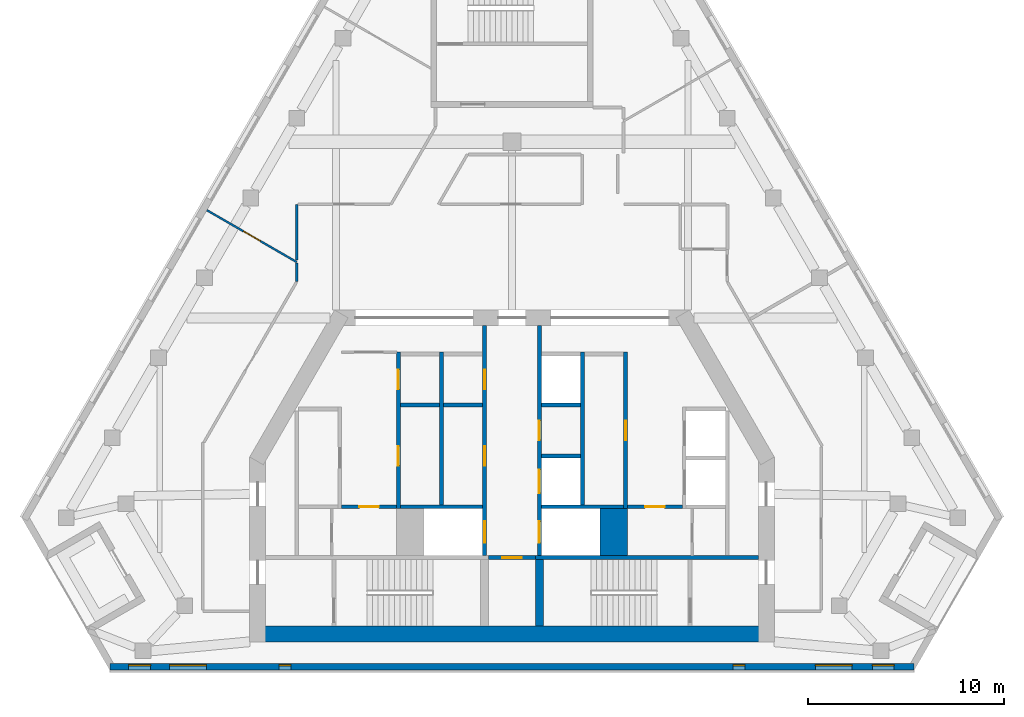
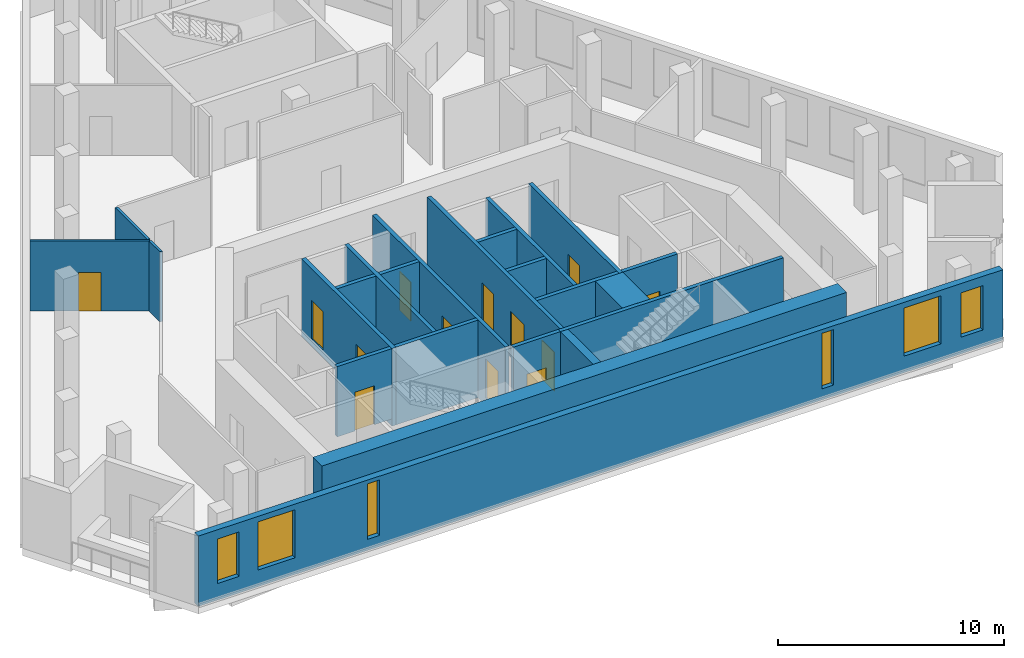
# One storey, part 3 of 8: 23 walls, 13 doors, 6 windows, 19 openings.
"""IFC4 building model written with IfcOpenShell, lengths in metres."""

from ifc_helpers import new_model, si_unit, direction, frame, frame_2d, origin, place, context, subcontext, project, spatial, rectangle, extrude, material, layer, layer_set, type_object, element, fill, save


model = new_model("IFC4")

# Units and contexts
model_context = context("Model", 3, precision=1e-05, world=origin(), true_north=direction((0.0, 1.0)))
body_context = subcontext(model_context, "Body", "Model", "MODEL_VIEW")
ifc_project = project(units=[si_unit("LENGTHUNIT", "METRE"), si_unit("AREAUNIT", "SQUARE_METRE"), si_unit("VOLUMEUNIT", "CUBIC_METRE"), si_unit("PLANEANGLEUNIT", "RADIAN"), si_unit("MASSUNIT", "GRAM", prefix="KILO")], contexts=[model_context])

# Site, building, storey
site_placement = place(None, origin())
site = spatial("IfcSite", under=ifc_project, at=site_placement, CompositionType="ELEMENT")
building_placement = place(site_placement, origin())
building = spatial("IfcBuilding", under=site, at=building_placement, Name="Fogline Exchange Tower", CompositionType="ELEMENT")
storey_placement = place(building_placement, frame((0.0, 0.0, 291.89990234375)))
storey = spatial("IfcBuildingStorey", under=building, at=storey_placement, Name="L66", CompositionType="ELEMENT", Elevation=291.89990234375)

# Walls
ifc_material_1 = material(Name="Concrete C60", Category="concrete")
ifc_layer_1 = layer(ifc_material_1, 1.39990234375)
ifc_layer_set_1 = layer_set([ifc_layer_1], Name="CW140")
wall_type_1 = type_object("IfcWallType", Name="CW140", PredefinedType="SOLIDWALL", material=ifc_layer_set_1)
wall_1_placement = place(storey_placement, frame((5.199951171875, 5.85009765625, -0.39990234375), z_axis=(0.0, 0.0, 1.0), x_axis=(0.0, 1.0, 0.0)))
element("IfcWall", 1, at=wall_1_placement, inside=storey, type_object=wall_type_1, Name="Lift shaft block wall", PredefinedType="SOLIDWALL", context=body_context, shape_type="SweptSolid", body=[
    extrude(rectangle(XDim=2.39990234375, YDim=1.39990234375, at=frame_2d((1.199951171875, 0.0))), origin(), (0.0, 0.0, 1.0), 4.199951171875),
])
ifc_material_2 = material(Name="Concrete C40", Category="concrete")
ifc_layer_2 = layer(ifc_material_2, 0.199951171875)
ifc_layer_set_2 = layer_set([ifc_layer_2], Name="CW20")
wall_type_2 = type_object("IfcWallType", Name="CW20", PredefinedType="SOLIDWALL", material=ifc_layer_set_2)
for number, where, z_axis, x_axis, name in (
    (2, (-5.699951171875, 13.550048828125, 0.0), (0.0, 0.0, 1.0), (1.0, 0.0, 0.0), "Service room wall"),
    (3, (-3.5, 13.550048828125, 0.0), (0.0, 0.0, 1.0), (1.0, 0.0, 0.0), "Service room wall"),
):
    element("IfcWall", number, at=place(storey_placement, frame(where, z_axis=z_axis, x_axis=x_axis)), inside=storey, type_object=wall_type_2, Name=name, PredefinedType="SOLIDWALL", context=body_context, shape_type="SweptSolid", body=[
        extrude(rectangle(XDim=2.0, YDim=0.199951171875, at=frame_2d((1.0, 0.0))), origin(), (0.0, 0.0, 1.0), 3.800048828125),
    ])

# Wall, opening, door
wall_2_placement = place(storey_placement, frame((-8.699951171875, 8.35009765625, 0.0), z_axis=(0.0, 0.0, 1.0), x_axis=(1.0, 0.0, 0.0)))
wall_2 = element("IfcWall", 4, at=wall_2_placement, inside=storey, type_object=wall_type_2, Name="WC wall", PredefinedType="SOLIDWALL", context=body_context, shape_type="SweptSolid", body=[
    extrude(rectangle(XDim=2.800048828125, YDim=0.199951171875, at=frame_2d((1.39990234375, 0.0))), origin(), (0.0, 0.0, 1.0), 3.800048828125),
])
opening_1_placement = place(wall_2_placement, frame((0.89990234375, 0.0, 0.0)))
opening_1 = element("IfcOpeningElement", 5, at=opening_1_placement, cuts=wall_2, Name="Opening T21-C010", PredefinedType="OPENING", context=body_context, shape_type="SweptSolid", body=[
    extrude(rectangle(XDim=1.0, YDim=2.10009765625, at=frame_2d((0.5, 1.050048828125))), frame((0.0, 0.10986328125, 0.0), z_axis=(0.0, -1.0, 0.0), x_axis=(1.0, 0.0, 0.0)), (0.0, 0.0, 1.0), 0.219970703125),
])
ifc_material_3 = material(Name="Steel and timber fire door", Category="steel")
door_type_1 = type_object("IfcDoorType", Name="D-WC1", OperationType="SINGLE_SWING_LEFT", PredefinedType="DOOR", material=ifc_material_3)
door_1_placement = place(opening_1_placement, frame((1.0, 0.0, 0.0), z_axis=(0.0, 0.0, 1.0), x_axis=(-1.0, 0.0, 0.0)))
door_1 = element("IfcDoor", 6, at=door_1_placement, inside=storey, type_object=door_type_1, Name="Door to Men's WC", OperationType="SINGLE_SWING_LEFT", OverallHeight=2.10009765625, OverallWidth=1.0, PredefinedType="DOOR", context=body_context, shape_type="SweptSolid", body=[
    extrude(rectangle(XDim=1.0, YDim=2.10009765625, at=frame_2d((0.5, 1.050048828125))), frame((0.0, 0.02490234375, 0.0), z_axis=(0.0, -1.0, 0.0), x_axis=(1.0, 0.0, 0.0)), (0.0, 0.0, 1.0), 0.050048828125),
])
fill(opening_1, door_1)

wall_3_placement = place(storey_placement, frame((5.89990234375, 8.35009765625, 0.0), z_axis=(0.0, 0.0, 1.0), x_axis=(1.0, 0.0, 0.0)))
wall_3 = element("IfcWall", 7, at=wall_3_placement, inside=storey, type_object=wall_type_2, Name="WC wall", PredefinedType="SOLIDWALL", context=body_context, shape_type="SweptSolid", body=[
    extrude(rectangle(XDim=2.800048828125, YDim=0.199951171875, at=frame_2d((1.39990234375, 0.0))), origin(), (0.0, 0.0, 1.0), 3.800048828125),
])
opening_2_placement = place(wall_3_placement, frame((0.89990234375, 0.0, 0.0)))
opening_2 = element("IfcOpeningElement", 8, at=opening_2_placement, cuts=wall_3, Name="Opening T21-C015", PredefinedType="OPENING", context=body_context, shape_type="SweptSolid", body=[
    extrude(rectangle(XDim=1.0, YDim=2.10009765625, at=frame_2d((0.5, 1.050048828125))), frame((0.0, 0.10986328125, 0.0), z_axis=(0.0, -1.0, 0.0), x_axis=(1.0, 0.0, 0.0)), (0.0, 0.0, 1.0), 0.219970703125),
])
door_2_placement = place(opening_2_placement, frame((1.0, 0.0, 0.0), z_axis=(0.0, 0.0, 1.0), x_axis=(-1.0, 0.0, 0.0)))
door_2 = element("IfcDoor", 9, at=door_2_placement, inside=storey, type_object=door_type_1, Name="Door to Women's WC", OperationType="SINGLE_SWING_LEFT", OverallHeight=2.10009765625, OverallWidth=1.0, PredefinedType="DOOR", context=body_context, shape_type="SweptSolid", body=[
    extrude(rectangle(XDim=1.0, YDim=2.10009765625, at=frame_2d((0.5, 1.050048828125))), frame((0.0, 0.02490234375, 0.0), z_axis=(0.0, -1.0, 0.0), x_axis=(1.0, 0.0, 0.0)), (0.0, 0.0, 1.0), 0.050048828125),
])
fill(opening_2, door_2)

ifc_layer_3 = layer(ifc_material_2, 0.199951171875)
ifc_layer_set_3 = layer_set([ifc_layer_3], Name="CW20R")
wall_type_3 = type_object("IfcWallType", Name="CW20R", PredefinedType="SOLIDWALL", material=ifc_layer_set_3)
wall_4_placement = place(storey_placement, frame((-1.199951171875, 5.75, -0.39990234375), z_axis=(0.0, 0.0, 1.0), x_axis=(1.0, 0.0, 0.0)))
wall_4 = element("IfcWall", 10, at=wall_4_placement, inside=storey, type_object=wall_type_3, Name="Stair enclosure wall", PredefinedType="SOLIDWALL", context=body_context, shape_type="SweptSolid", body=[
    extrude(rectangle(XDim=2.39990234375, YDim=0.199951171875, at=frame_2d((1.199951171875, 0.0))), origin(), (0.0, 0.0, 1.0), 4.199951171875),
])
opening_3_placement = place(wall_4_placement, frame((0.699951171875, 0.0, 0.39990234375)))
opening_3 = element("IfcOpeningElement", 11, at=opening_3_placement, cuts=wall_4, Name="Opening T21-C008", PredefinedType="OPENING", context=body_context, shape_type="SweptSolid", body=[
    extrude(rectangle(XDim=1.0, YDim=2.10009765625, at=frame_2d((0.5, 1.050048828125))), frame((0.0, 0.10986328125, 0.0), z_axis=(0.0, -1.0, 0.0), x_axis=(1.0, 0.0, 0.0)), (0.0, 0.0, 1.0), 0.219970703125),
])
door_type_2 = type_object("IfcDoorType", Name="D-RM1", OperationType="SINGLE_SWING_LEFT", PredefinedType="DOOR", material=ifc_material_3)
door_3_placement = place(opening_3_placement, frame((1.0, 0.0, 0.0), z_axis=(0.0, 0.0, 1.0), x_axis=(-1.0, 0.0, 0.0)))
door_3 = element("IfcDoor", 12, at=door_3_placement, inside=storey, type_object=door_type_2, Name="Door to Stationery Store", OperationType="SINGLE_SWING_RIGHT", OverallHeight=2.10009765625, OverallWidth=1.0, PredefinedType="DOOR", context=body_context, shape_type="SweptSolid", body=[
    extrude(rectangle(XDim=1.0, YDim=2.10009765625, at=frame_2d((0.5, 1.050048828125))), frame((0.0, 0.02490234375, 0.0), z_axis=(0.0, -1.0, 0.0), x_axis=(1.0, 0.0, 0.0)), (0.0, 0.0, 1.0), 0.050048828125),
])
fill(opening_3, door_3)

# Wall
wall_5_placement = place(storey_placement, frame((1.199951171875, 5.75, -0.39990234375), z_axis=(0.0, 0.0, 1.0), x_axis=(1.0, 0.0, 0.0)))
element("IfcWall", 13, at=wall_5_placement, inside=storey, type_object=wall_type_3, Name="Stair enclosure wall", PredefinedType="SOLIDWALL", context=body_context, shape_type="SweptSolid", body=[
    extrude(rectangle(XDim=11.400146484375, YDim=0.199951171875, at=frame_2d((5.7001953125, 0.0))), origin(), (0.0, 0.0, 1.0), 4.199951171875),
])

# Wall, openings, doors
ifc_layer_4 = layer(ifc_material_2, 0.199951171875)
ifc_layer_set_4 = layer_set([ifc_layer_4], Name="CW20S")
wall_type_4 = type_object("IfcWallType", Name="CW20S", PredefinedType="SOLIDWALL", material=ifc_layer_set_4)
wall_6_placement = place(storey_placement, frame((-5.800048828125, 8.25, -0.39990234375), z_axis=(0.0, 0.0, 1.0), x_axis=(0.0, 1.0, 0.0)))
wall_6 = element("IfcWall", 14, at=wall_6_placement, inside=storey, type_object=wall_type_4, Name="Lift shaft wall", PredefinedType="SOLIDWALL", context=body_context, shape_type="SweptSolid", body=[
    extrude(rectangle(XDim=8.0, YDim=0.199951171875, at=frame_2d((4.0, 0.0))), origin(), (0.0, 0.0, 1.0), 4.199951171875),
])
opening_4_placement = place(wall_6_placement, frame((2.199951171875, 0.0, 0.39990234375)))
opening_4 = element("IfcOpeningElement", 15, at=opening_4_placement, cuts=wall_6, Name="Opening T21-C002", PredefinedType="OPENING", context=body_context, shape_type="SweptSolid", body=[
    extrude(rectangle(XDim=1.0, YDim=2.10009765625, at=frame_2d((0.5, 1.050048828125))), frame((0.0, 0.10986328125, 0.0), z_axis=(0.0, -1.0, 0.0), x_axis=(1.0, 0.0, 0.0)), (0.0, 0.0, 1.0), 0.219970703125),
])
opening_5_placement = place(wall_6_placement, frame((6.10009765625, 0.0, 0.39990234375)))
opening_5 = element("IfcOpeningElement", 16, at=opening_5_placement, cuts=wall_6, Name="Opening T21-C003", PredefinedType="OPENING", context=body_context, shape_type="SweptSolid", body=[
    extrude(rectangle(XDim=1.0, YDim=2.10009765625, at=frame_2d((0.5, 1.050048828125))), frame((0.0, 0.10986328125, 0.0), z_axis=(0.0, -1.0, 0.0), x_axis=(1.0, 0.0, 0.0)), (0.0, 0.0, 1.0), 0.219970703125),
])
door_4_placement = place(opening_4_placement, frame((1.0, 0.0, 0.0), z_axis=(0.0, 0.0, 1.0), x_axis=(-1.0, 0.0, 0.0)))
door_4 = element("IfcDoor", 17, at=door_4_placement, inside=storey, type_object=door_type_2, Name="Door to Equipment Room", OperationType="SINGLE_SWING_LEFT", OverallHeight=2.10009765625, OverallWidth=1.0, PredefinedType="DOOR", context=body_context, shape_type="SweptSolid", body=[
    extrude(rectangle(XDim=1.0, YDim=2.10009765625, at=frame_2d((0.5, 1.050048828125))), frame((0.0, 0.02490234375, 0.0), z_axis=(0.0, -1.0, 0.0), x_axis=(1.0, 0.0, 0.0)), (0.0, 0.0, 1.0), 0.050048828125),
])
fill(opening_4, door_4)
door_5_placement = place(opening_5_placement, frame((1.0, 0.0, 0.0), z_axis=(0.0, 0.0, 1.0), x_axis=(-1.0, 0.0, 0.0)))
door_5 = element("IfcDoor", 18, at=door_5_placement, inside=storey, type_object=door_type_2, Name="Door to Server Room", OperationType="SINGLE_SWING_RIGHT", OverallHeight=2.10009765625, OverallWidth=1.0, PredefinedType="DOOR", context=body_context, shape_type="SweptSolid", body=[
    extrude(rectangle(XDim=1.0, YDim=2.10009765625, at=frame_2d((0.5, 1.050048828125))), frame((0.0, 0.02490234375, 0.0), z_axis=(0.0, -1.0, 0.0), x_axis=(1.0, 0.0, 0.0)), (0.0, 0.0, 1.0), 0.050048828125),
])
fill(opening_5, door_5)

# Wall, opening, door
wall_7_placement = place(storey_placement, frame((5.800048828125, 8.25, -0.39990234375), z_axis=(0.0, 0.0, 1.0), x_axis=(0.0, 1.0, 0.0)))
wall_7 = element("IfcWall", 19, at=wall_7_placement, inside=storey, type_object=wall_type_4, Name="Lift shaft wall", PredefinedType="SOLIDWALL", context=body_context, shape_type="SweptSolid", body=[
    extrude(rectangle(XDim=8.0, YDim=0.199951171875, at=frame_2d((4.0, 0.0))), origin(), (0.0, 0.0, 1.0), 4.199951171875),
])
opening_6_placement = place(wall_7_placement, frame((3.5, 0.0, 0.39990234375)))
opening_6 = element("IfcOpeningElement", 20, at=opening_6_placement, cuts=wall_7, Name="Opening T21-C006", PredefinedType="OPENING", context=body_context, shape_type="SweptSolid", body=[
    extrude(rectangle(XDim=1.0, YDim=2.10009765625, at=frame_2d((0.5, 1.050048828125))), frame((0.0, 0.10986328125, 0.0), z_axis=(0.0, -1.0, 0.0), x_axis=(1.0, 0.0, 0.0)), (0.0, 0.0, 1.0), 0.219970703125),
])
door_6_placement = place(opening_6_placement, origin())
door_6 = element("IfcDoor", 21, at=door_6_placement, inside=storey, type_object=door_type_2, Name="Door to Trading Desk Annexe", OperationType="SINGLE_SWING_LEFT", OverallHeight=2.10009765625, OverallWidth=1.0, PredefinedType="DOOR", context=body_context, shape_type="SweptSolid", body=[
    extrude(rectangle(XDim=1.0, YDim=2.10009765625, at=frame_2d((0.5, 1.050048828125))), frame((0.0, 0.02490234375, 0.0), z_axis=(0.0, -1.0, 0.0), x_axis=(1.0, 0.0, 0.0)), (0.0, 0.0, 1.0), 0.050048828125),
])
fill(opening_6, door_6)

# Walls
for number, where, z_axis, x_axis, name in (
    (22, (-3.60009765625, 8.449951171875, -0.39990234375), (0.0, 0.0, 1.0), (0.0, 1.0, 0.0), "Lift shaft wall"),
    (23, (3.60009765625, 8.449951171875, -0.39990234375), (0.0, 0.0, 1.0), (0.0, 1.0, 0.0), "Lift shaft wall"),
):
    element("IfcWall", number, at=place(storey_placement, frame(where, z_axis=z_axis, x_axis=x_axis)), inside=storey, type_object=wall_type_4, Name=name, PredefinedType="SOLIDWALL", context=body_context, shape_type="SweptSolid", body=[
        extrude(rectangle(XDim=7.800048828125, YDim=0.199951171875, at=frame_2d((3.89990234375, 0.0))), origin(), (0.0, 0.0, 1.0), 4.199951171875),
    ])

# Wall, openings, doors
wall_8_placement = place(storey_placement, frame((-1.39990234375, 5.85009765625, -0.39990234375), z_axis=(0.0, 0.0, 1.0), x_axis=(0.0, 1.0, 0.0)))
wall_8 = element("IfcWall", 24, at=wall_8_placement, inside=storey, type_object=wall_type_4, Name="Lift lobby wall", PredefinedType="SOLIDWALL", context=body_context, shape_type="SweptSolid", body=[
    extrude(rectangle(XDim=11.75, YDim=0.199951171875, at=frame_2d((5.875, 0.0))), origin(), (0.0, 0.0, 1.0), 4.199951171875),
])
opening_7_placement = place(wall_8_placement, frame((0.64990234375, 0.0, 0.39990234375)))
opening_7 = element("IfcOpeningElement", 25, at=opening_7_placement, cuts=wall_8, Name="Opening T21-LD01", PredefinedType="OPENING", context=body_context, shape_type="SweptSolid", body=[
    extrude(rectangle(XDim=1.10009765625, YDim=2.10009765625, at=frame_2d((0.550048828125, 1.050048828125))), frame((0.0, 0.10986328125, 0.0), z_axis=(0.0, -1.0, 0.0), x_axis=(1.0, 0.0, 0.0)), (0.0, 0.0, 1.0), 0.219970703125),
])
opening_8_placement = place(wall_8_placement, frame((4.60009765625, 0.0, 0.39990234375)))
opening_8 = element("IfcOpeningElement", 26, at=opening_8_placement, cuts=wall_8, Name="Opening T21-C004", PredefinedType="OPENING", context=body_context, shape_type="SweptSolid", body=[
    extrude(rectangle(XDim=1.0, YDim=2.10009765625, at=frame_2d((0.5, 1.050048828125))), frame((0.0, 0.10986328125, 0.0), z_axis=(0.0, -1.0, 0.0), x_axis=(1.0, 0.0, 0.0)), (0.0, 0.0, 1.0), 0.219970703125),
])
opening_9_placement = place(wall_8_placement, frame((8.5, 0.0, 0.39990234375)))
opening_9 = element("IfcOpeningElement", 27, at=opening_9_placement, cuts=wall_8, Name="Opening T21-C005", PredefinedType="OPENING", context=body_context, shape_type="SweptSolid", body=[
    extrude(rectangle(XDim=1.0, YDim=2.10009765625, at=frame_2d((0.5, 1.050048828125))), frame((0.0, 0.10986328125, 0.0), z_axis=(0.0, -1.0, 0.0), x_axis=(1.0, 0.0, 0.0)), (0.0, 0.0, 1.0), 0.219970703125),
])
door_7_placement = place(opening_8_placement, origin())
door_7 = element("IfcDoor", 28, at=door_7_placement, inside=storey, type_object=door_type_2, Name="Door to Library Store", OperationType="SINGLE_SWING_LEFT", OverallHeight=2.10009765625, OverallWidth=1.0, PredefinedType="DOOR", context=body_context, shape_type="SweptSolid", body=[
    extrude(rectangle(XDim=1.0, YDim=2.10009765625, at=frame_2d((0.5, 1.050048828125))), frame((0.0, 0.02490234375, 0.0), z_axis=(0.0, -1.0, 0.0), x_axis=(1.0, 0.0, 0.0)), (0.0, 0.0, 1.0), 0.050048828125),
])
fill(opening_8, door_7)
door_8_placement = place(opening_9_placement, origin())
door_8 = element("IfcDoor", 29, at=door_8_placement, inside=storey, type_object=door_type_2, Name="Door to Library Store", OperationType="SINGLE_SWING_LEFT", OverallHeight=2.10009765625, OverallWidth=1.0, PredefinedType="DOOR", context=body_context, shape_type="SweptSolid", body=[
    extrude(rectangle(XDim=1.0, YDim=2.10009765625, at=frame_2d((0.5, 1.050048828125))), frame((0.0, 0.02490234375, 0.0), z_axis=(0.0, -1.0, 0.0), x_axis=(1.0, 0.0, 0.0)), (0.0, 0.0, 1.0), 0.050048828125),
])
fill(opening_9, door_8)
door_type_3 = type_object("IfcDoorType", Name="LD2", OperationType="SLIDING_TO_RIGHT", PredefinedType="DOOR", material=ifc_material_3)
door_9_placement = place(opening_7_placement, origin())
door_9 = element("IfcDoor", 30, at=door_9_placement, inside=storey, type_object=door_type_3, Name="Landing door FF1", OperationType="SLIDING_TO_RIGHT", OverallHeight=2.10009765625, OverallWidth=1.10009765625, PredefinedType="DOOR", context=body_context, shape_type="SweptSolid", body=[
    extrude(rectangle(XDim=1.10009765625, YDim=2.10009765625, at=frame_2d((0.550048828125, 1.050048828125))), frame((0.0, 0.02490234375, 0.0), z_axis=(0.0, -1.0, 0.0), x_axis=(1.0, 0.0, 0.0)), (0.0, 0.0, 1.0), 0.050048828125),
])
fill(opening_7, door_9)

wall_9_placement = place(storey_placement, frame((1.39990234375, 5.85009765625, -0.39990234375), z_axis=(0.0, 0.0, 1.0), x_axis=(0.0, 1.0, 0.0)))
wall_9 = element("IfcWall", 31, at=wall_9_placement, inside=storey, type_object=wall_type_4, Name="Lift lobby wall", PredefinedType="SOLIDWALL", context=body_context, shape_type="SweptSolid", body=[
    extrude(rectangle(XDim=11.75, YDim=0.199951171875, at=frame_2d((5.875, 0.0))), origin(), (0.0, 0.0, 1.0), 4.199951171875),
])
opening_10_placement = place(wall_9_placement, frame((3.199951171875, 0.0, 0.39990234375)))
opening_10 = element("IfcOpeningElement", 32, at=opening_10_placement, cuts=wall_9, Name="Opening T21-LD04", PredefinedType="OPENING", context=body_context, shape_type="SweptSolid", body=[
    extrude(rectangle(XDim=1.199951171875, YDim=2.10009765625, at=frame_2d((0.60009765625, 1.050048828125))), frame((0.0, 0.10986328125, 0.0), z_axis=(0.0, -1.0, 0.0), x_axis=(1.0, 0.0, 0.0)), (0.0, 0.0, 1.0), 0.219970703125),
])
opening_11_placement = place(wall_9_placement, frame((0.64990234375, 0.0, 0.39990234375)))
opening_11 = element("IfcOpeningElement", 33, at=opening_11_placement, cuts=wall_9, Name="Opening T21-LD05", PredefinedType="OPENING", context=body_context, shape_type="SweptSolid", body=[
    extrude(rectangle(XDim=1.10009765625, YDim=2.10009765625, at=frame_2d((0.550048828125, 1.050048828125))), frame((0.0, 0.10986328125, 0.0), z_axis=(0.0, -1.0, 0.0), x_axis=(1.0, 0.0, 0.0)), (0.0, 0.0, 1.0), 0.219970703125),
])
opening_12_placement = place(wall_9_placement, frame((5.89990234375, 0.0, 0.39990234375)))
opening_12 = element("IfcOpeningElement", 34, at=opening_12_placement, cuts=wall_9, Name="Opening T21-C007", PredefinedType="OPENING", context=body_context, shape_type="SweptSolid", body=[
    extrude(rectangle(XDim=1.0, YDim=2.10009765625, at=frame_2d((0.5, 1.050048828125))), frame((0.0, 0.10986328125, 0.0), z_axis=(0.0, -1.0, 0.0), x_axis=(1.0, 0.0, 0.0)), (0.0, 0.0, 1.0), 0.219970703125),
])
door_10_placement = place(opening_12_placement, frame((1.0, 0.0, 0.0), z_axis=(0.0, 0.0, 1.0), x_axis=(-1.0, 0.0, 0.0)))
door_10 = element("IfcDoor", 35, at=door_10_placement, inside=storey, type_object=door_type_2, Name="Door to Cable Store", OperationType="SINGLE_SWING_RIGHT", OverallHeight=2.10009765625, OverallWidth=1.0, PredefinedType="DOOR", context=body_context, shape_type="SweptSolid", body=[
    extrude(rectangle(XDim=1.0, YDim=2.10009765625, at=frame_2d((0.5, 1.050048828125))), frame((0.0, 0.02490234375, 0.0), z_axis=(0.0, -1.0, 0.0), x_axis=(1.0, 0.0, 0.0)), (0.0, 0.0, 1.0), 0.050048828125),
])
fill(opening_12, door_10)
door_type_4 = type_object("IfcDoorType", Name="LD1", OperationType="SLIDING_TO_LEFT", PredefinedType="DOOR", material=ifc_material_3)
door_11_placement = place(opening_10_placement, origin())
door_11 = element("IfcDoor", 36, at=door_11_placement, inside=storey, type_object=door_type_4, Name="Landing door HR3", OperationType="SLIDING_TO_LEFT", OverallHeight=2.10009765625, OverallWidth=1.199951171875, PredefinedType="DOOR", context=body_context, shape_type="SweptSolid", body=[
    extrude(rectangle(XDim=1.199951171875, YDim=2.10009765625, at=frame_2d((0.60009765625, 1.050048828125))), frame((0.0, 0.02490234375, 0.0), z_axis=(0.0, -1.0, 0.0), x_axis=(1.0, 0.0, 0.0)), (0.0, 0.0, 1.0), 0.050048828125),
])
fill(opening_10, door_11)
door_12_placement = place(opening_11_placement, origin())
door_12 = element("IfcDoor", 37, at=door_12_placement, inside=storey, type_object=door_type_3, Name="Landing door FF2", OperationType="SLIDING_TO_RIGHT", OverallHeight=2.10009765625, OverallWidth=1.10009765625, PredefinedType="DOOR", context=body_context, shape_type="SweptSolid", body=[
    extrude(rectangle(XDim=1.10009765625, YDim=2.10009765625, at=frame_2d((0.550048828125, 1.050048828125))), frame((0.0, 0.02490234375, 0.0), z_axis=(0.0, -1.0, 0.0), x_axis=(1.0, 0.0, 0.0)), (0.0, 0.0, 1.0), 0.050048828125),
])
fill(opening_11, door_12)

# Walls
for number, where, z_axis, x_axis, name in (
    (38, (-5.699951171875, 8.35009765625, -0.39990234375), (0.0, 0.0, 1.0), (1.0, 0.0, 0.0), "Lift shaft wall"),
    (39, (1.5, 8.35009765625, -0.39990234375), (0.0, 0.0, 1.0), (1.0, 0.0, 0.0), "Lift shaft wall"),
):
    element("IfcWall", number, at=place(storey_placement, frame(where, z_axis=z_axis, x_axis=x_axis)), inside=storey, type_object=wall_type_4, Name=name, PredefinedType="SOLIDWALL", context=body_context, shape_type="SweptSolid", body=[
        extrude(rectangle(XDim=4.199951171875, YDim=0.199951171875, at=frame_2d((2.10009765625, 0.0))), origin(), (0.0, 0.0, 1.0), 4.199951171875),
    ])
for number, where, z_axis, x_axis, name in (
    (40, (1.5, 10.949951171875, -0.39990234375), (0.0, 0.0, 1.0), (1.0, 0.0, 0.0), "Lift shaft wall"),
    (41, (1.5, 13.550048828125, -0.39990234375), (0.0, 0.0, 1.0), (1.0, 0.0, 0.0), "Lift shaft wall"),
):
    element("IfcWall", number, at=place(storey_placement, frame(where, z_axis=z_axis, x_axis=x_axis)), inside=storey, type_object=wall_type_4, Name=name, PredefinedType="SOLIDWALL", context=body_context, shape_type="SweptSolid", body=[
        extrude(rectangle(XDim=2.0, YDim=0.199951171875, at=frame_2d((1.0, 0.0))), origin(), (0.0, 0.0, 1.0), 4.199951171875),
    ])
ifc_layer_5 = layer(ifc_material_2, 0.39990234375)
ifc_layer_set_5 = layer_set([ifc_layer_5], Name="CW40R")
wall_type_5 = type_object("IfcWallType", Name="CW40R", PredefinedType="SOLIDWALL", material=ifc_layer_set_5)
wall_10_placement = place(storey_placement, frame((1.39990234375, 2.25, -0.39990234375), z_axis=(0.0, 0.0, 1.0), x_axis=(0.0, 1.0, 0.0)))
element("IfcWall", 42, at=wall_10_placement, inside=storey, type_object=wall_type_5, Name="Stair and lift shaft wall", PredefinedType="SOLIDWALL", context=body_context, shape_type="SweptSolid", body=[
    extrude(rectangle(XDim=3.39990234375, YDim=0.39990234375, at=frame_2d((1.699951171875, 0.0))), origin(), (0.0, 0.0, 1.0), 4.199951171875),
])

# Wall, openings, windows
ifc_material_4 = material(Name="Brick masonry", Category="masonry")
ifc_layer_6 = layer(ifc_material_4, 0.340087890625)
ifc_layer_set_6 = layer_set([ifc_layer_6], Name="FW1")
wall_type_6 = type_object("IfcWallType", Name="FW1", PredefinedType="SOLIDWALL", material=ifc_layer_set_6)
wall_11_placement = place(storey_placement, frame((-20.55224609375, 0.169921875, 0.0), z_axis=(0.0, 0.0, 1.0), x_axis=(1.0, 0.0, 0.0)))
wall_11 = element("IfcWall", 43, at=wall_11_placement, inside=storey, type_object=wall_type_6, Name="Brick wall L66 S", PredefinedType="SOLIDWALL", context=body_context, shape_type="SweptSolid", body=[
    extrude(rectangle(XDim=41.1044921875, YDim=0.340087890625, at=frame_2d((20.55224609375, 0.0))), origin(), (0.0, 0.0, 1.0), 3.800048828125),
])
opening_13_placement = place(wall_11_placement, frame((3.05224609375, 0.0, 0.89990234375)))
opening_13 = element("IfcOpeningElement", 44, at=opening_13_placement, cuts=wall_11, Name="Opening W3", PredefinedType="OPENING", context=body_context, shape_type="SweptSolid", body=[
    extrude(rectangle(XDim=1.885009765625, YDim=2.60009765625, at=frame_2d((0.9423828125, 1.300048828125))), frame((0.0, 0.18017578125, 0.0), z_axis=(0.0, -1.0, 0.0), x_axis=(1.0, 0.0, 0.0)), (0.0, 0.0, 1.0), 0.360107421875),
])
opening_14_placement = place(wall_11_placement, frame((36.05224609375, 0.0, 0.89990234375)))
opening_14 = element("IfcOpeningElement", 45, at=opening_14_placement, cuts=wall_11, Name="Opening W3", PredefinedType="OPENING", context=body_context, shape_type="SweptSolid", body=[
    extrude(rectangle(XDim=1.885009765625, YDim=2.60009765625, at=frame_2d((0.9423828125, 1.300048828125))), frame((0.0, 0.18017578125, 0.0), z_axis=(0.0, -1.0, 0.0), x_axis=(1.0, 0.0, 0.0)), (0.0, 0.0, 1.0), 0.360107421875),
])
opening_15_placement = place(wall_11_placement, frame((0.968505859375, 0.0, 0.89990234375)))
opening_15 = element("IfcOpeningElement", 46, at=opening_15_placement, cuts=wall_11, Name="Opening W4", PredefinedType="OPENING", context=body_context, shape_type="SweptSolid", body=[
    extrude(rectangle(XDim=1.114990234375, YDim=2.39990234375, at=frame_2d((0.5576171875, 1.199951171875))), frame((0.0, 0.18017578125, 0.0), z_axis=(0.0, -1.0, 0.0), x_axis=(1.0, 0.0, 0.0)), (0.0, 0.0, 1.0), 0.360107421875),
])
opening_16_placement = place(wall_11_placement, frame((38.96337890625, 0.0, 0.89990234375)))
opening_16 = element("IfcOpeningElement", 47, at=opening_16_placement, cuts=wall_11, Name="Opening W4", PredefinedType="OPENING", context=body_context, shape_type="SweptSolid", body=[
    extrude(rectangle(XDim=1.114990234375, YDim=2.39990234375, at=frame_2d((0.5576171875, 1.199951171875))), frame((0.0, 0.18017578125, 0.0), z_axis=(0.0, -1.0, 0.0), x_axis=(1.0, 0.0, 0.0)), (0.0, 0.0, 1.0), 0.360107421875),
])
opening_17_placement = place(wall_11_placement, frame((8.652099609375, 0.0, 0.60009765625)))
opening_17 = element("IfcOpeningElement", 48, at=opening_17_placement, cuts=wall_11, Name="Opening W5", PredefinedType="OPENING", context=body_context, shape_type="SweptSolid", body=[
    extrude(rectangle(XDim=0.60009765625, YDim=3.0, at=frame_2d((0.300048828125, 1.5))), frame((0.0, 0.18017578125, 0.0), z_axis=(0.0, -1.0, 0.0), x_axis=(1.0, 0.0, 0.0)), (0.0, 0.0, 1.0), 0.360107421875),
])
opening_18_placement = place(wall_11_placement, frame((31.852294921875, 0.0, 0.60009765625)))
opening_18 = element("IfcOpeningElement", 49, at=opening_18_placement, cuts=wall_11, Name="Opening W5", PredefinedType="OPENING", context=body_context, shape_type="SweptSolid", body=[
    extrude(rectangle(XDim=0.60009765625, YDim=3.0, at=frame_2d((0.300048828125, 1.5))), frame((0.0, 0.18017578125, 0.0), z_axis=(0.0, -1.0, 0.0), x_axis=(1.0, 0.0, 0.0)), (0.0, 0.0, 1.0), 0.360107421875),
])
ifc_material_5 = material(Name="Aluminium and glass", Category="aluminium")
window_type_1 = type_object("IfcWindowType", Name="W3", PartitioningType="SINGLE_PANEL", PredefinedType="WINDOW", material=ifc_material_5)
window_1_placement = place(opening_13_placement, origin())
window_1 = element("IfcWindow", 50, at=window_1_placement, inside=storey, type_object=window_type_1, Name="W3 W3", OverallHeight=2.60009765625, OverallWidth=1.885009765625, PartitioningType="SINGLE_PANEL", PredefinedType="WINDOW", context=body_context, shape_type="SweptSolid", body=[
    extrude(rectangle(XDim=1.885009765625, YDim=2.60009765625, at=frame_2d((0.9423828125, 1.300048828125))), frame((0.0, 0.110107421875, 0.0), z_axis=(0.0, -1.0, 0.0), x_axis=(1.0, 0.0, 0.0)), (0.0, 0.0, 1.0), 0.06005859375),
])
fill(opening_13, window_1)
window_2_placement = place(opening_14_placement, origin())
window_2 = element("IfcWindow", 51, at=window_2_placement, inside=storey, type_object=window_type_1, Name="W3 W3", OverallHeight=2.60009765625, OverallWidth=1.885009765625, PartitioningType="SINGLE_PANEL", PredefinedType="WINDOW", context=body_context, shape_type="SweptSolid", body=[
    extrude(rectangle(XDim=1.885009765625, YDim=2.60009765625, at=frame_2d((0.9423828125, 1.300048828125))), frame((0.0, 0.110107421875, 0.0), z_axis=(0.0, -1.0, 0.0), x_axis=(1.0, 0.0, 0.0)), (0.0, 0.0, 1.0), 0.06005859375),
])
fill(opening_14, window_2)
window_type_2 = type_object("IfcWindowType", Name="W4", PartitioningType="SINGLE_PANEL", PredefinedType="WINDOW", material=ifc_material_5)
window_3_placement = place(opening_15_placement, origin())
window_3 = element("IfcWindow", 52, at=window_3_placement, inside=storey, type_object=window_type_2, Name="W4 W4", OverallHeight=2.39990234375, OverallWidth=1.114990234375, PartitioningType="SINGLE_PANEL", PredefinedType="WINDOW", context=body_context, shape_type="SweptSolid", body=[
    extrude(rectangle(XDim=1.114990234375, YDim=2.39990234375, at=frame_2d((0.5576171875, 1.199951171875))), frame((0.0, 0.110107421875, 0.0), z_axis=(0.0, -1.0, 0.0), x_axis=(1.0, 0.0, 0.0)), (0.0, 0.0, 1.0), 0.06005859375),
])
fill(opening_15, window_3)
window_4_placement = place(opening_16_placement, origin())
window_4 = element("IfcWindow", 53, at=window_4_placement, inside=storey, type_object=window_type_2, Name="W4 W4", OverallHeight=2.39990234375, OverallWidth=1.114990234375, PartitioningType="SINGLE_PANEL", PredefinedType="WINDOW", context=body_context, shape_type="SweptSolid", body=[
    extrude(rectangle(XDim=1.114990234375, YDim=2.39990234375, at=frame_2d((0.5576171875, 1.199951171875))), frame((0.0, 0.110107421875, 0.0), z_axis=(0.0, -1.0, 0.0), x_axis=(1.0, 0.0, 0.0)), (0.0, 0.0, 1.0), 0.06005859375),
])
fill(opening_16, window_4)
window_type_3 = type_object("IfcWindowType", Name="W5", PartitioningType="SINGLE_PANEL", PredefinedType="WINDOW", material=ifc_material_5)
window_5_placement = place(opening_17_placement, origin())
window_5 = element("IfcWindow", 54, at=window_5_placement, inside=storey, type_object=window_type_3, Name="W5 W5", OverallHeight=3.0, OverallWidth=0.60009765625, PartitioningType="SINGLE_PANEL", PredefinedType="WINDOW", context=body_context, shape_type="SweptSolid", body=[
    extrude(rectangle(XDim=0.60009765625, YDim=3.0, at=frame_2d((0.300048828125, 1.5))), frame((0.0, 0.110107421875, 0.0), z_axis=(0.0, -1.0, 0.0), x_axis=(1.0, 0.0, 0.0)), (0.0, 0.0, 1.0), 0.06005859375),
])
fill(opening_17, window_5)
window_6_placement = place(opening_18_placement, origin())
window_6 = element("IfcWindow", 55, at=window_6_placement, inside=storey, type_object=window_type_3, Name="W5 W5", OverallHeight=3.0, OverallWidth=0.60009765625, PartitioningType="SINGLE_PANEL", PredefinedType="WINDOW", context=body_context, shape_type="SweptSolid", body=[
    extrude(rectangle(XDim=0.60009765625, YDim=3.0, at=frame_2d((0.300048828125, 1.5))), frame((0.0, 0.110107421875, 0.0), z_axis=(0.0, -1.0, 0.0), x_axis=(1.0, 0.0, 0.0)), (0.0, 0.0, 1.0), 0.06005859375),
])
fill(opening_18, window_6)

# Wall, opening, door
ifc_material_6 = material(Name="Plasterboard partition, 2 layers each side on steel studs", Category="steel")
ifc_layer_7 = layer(ifc_material_6, 0.10009765625)
ifc_layer_set_7 = layer_set([ifc_layer_7], Name="PW1")
wall_type_7 = type_object("IfcWallType", Name="PW1", PredefinedType="PARTITIONING", material=ifc_layer_set_7)
wall_12_placement = place(storey_placement, frame((-11.0, 20.85107421875, 0.0), z_axis=(0.0, 0.0, 1.0), x_axis=(-0.866015321998, 0.50001746176, 0.0)))
wall_12 = element("IfcWall", 56, at=wall_12_placement, inside=storey, type_object=wall_type_7, Name="wall-L66-W033", PredefinedType="PARTITIONING", context=body_context, shape_type="SweptSolid", body=[
    extrude(rectangle(XDim=5.301025390625, YDim=0.10009765625, at=frame_2d((2.650390625, 0.0))), origin(), (0.0, 0.0, 1.0), 3.800048828125),
])
opening_19_placement = place(wall_12_placement, frame((2.150634765625, 0.0, 0.0)))
opening_19 = element("IfcOpeningElement", 57, at=opening_19_placement, cuts=wall_12, Name="Opening T21-D009", PredefinedType="OPENING", context=body_context, shape_type="SweptSolid", body=[
    extrude(rectangle(XDim=1.0, YDim=2.10009765625, at=frame_2d((0.5, 1.050048828125))), frame((0.0, 0.06005859375, 0.0), z_axis=(0.0, -1.0, 0.0), x_axis=(1.0, 0.0, 0.0)), (0.0, 0.0, 1.0), 0.1201171875),
])
ifc_material_7 = material(Name="Timber door leaf with steel frame", Category="steel")
door_type_5 = type_object("IfcDoorType", Name="D1", OperationType="SINGLE_SWING_LEFT", PredefinedType="DOOR", material=ifc_material_7)
door_13_placement = place(opening_19_placement, frame((1.0, 0.0, 0.0), z_axis=(0.0, 0.0, 1.0), x_axis=(-1.0, 0.0, 0.0)))
door_13 = element("IfcDoor", 58, at=door_13_placement, inside=storey, type_object=door_type_5, Name="door-L66-D009", OperationType="SINGLE_SWING_RIGHT", OverallHeight=2.10009765625, OverallWidth=1.0, PredefinedType="DOOR", context=body_context, shape_type="SweptSolid", body=[
    extrude(rectangle(XDim=1.0, YDim=2.10009765625, at=frame_2d((0.5, 1.050048828125))), frame((0.0, 0.02490234375, 0.0), z_axis=(0.0, -1.0, 0.0), x_axis=(1.0, 0.0, 0.0)), (0.0, 0.0, 1.0), 0.050048828125),
])
fill(opening_19, door_13)

# Walls
ifc_material_8 = material(Name="Plasterboard corridor partition with mineral wool, 2 layers each side")
ifc_layer_8 = layer(ifc_material_8, 0.125)
ifc_layer_set_8 = layer_set([ifc_layer_8], Name="PW2")
wall_type_8 = type_object("IfcWallType", Name="PW2", PredefinedType="PARTITIONING", material=ifc_layer_set_8)
wall_13_placement = place(storey_placement, frame((-11.0, 20.9453125, 0.0), z_axis=(0.0, 0.0, 1.0), x_axis=(0.0, 1.0, 0.0)))
element("IfcWall", 59, at=wall_13_placement, inside=storey, type_object=wall_type_8, Name="wall-L66-W010", PredefinedType="PARTITIONING", context=body_context, shape_type="SweptSolid", body=[
    extrude(rectangle(XDim=2.854736328125, YDim=0.125, at=frame_2d((1.42724609375, 0.0))), origin(), (0.0, 0.0, 1.0), 3.800048828125),
])
wall_14_placement = place(storey_placement, frame((-11.0, 19.8486328125, 0.0), z_axis=(0.0, 0.0, 1.0), x_axis=(0.0, 1.0, 0.0)))
element("IfcWall", 60, at=wall_14_placement, inside=storey, type_object=wall_type_8, Name="wall-L66-W012", PredefinedType="PARTITIONING", context=body_context, shape_type="SweptSolid", body=[
    extrude(rectangle(XDim=0.95849609375, YDim=0.125, at=frame_2d((0.479248046875, 0.0))), origin(), (0.0, 0.0, 1.0), 3.800048828125),
])
ifc_material_9 = material(Name="Concrete C50", Category="concrete")
ifc_layer_9 = layer(ifc_material_9, 0.800048828125)
ifc_layer_set_9 = layer_set([ifc_layer_9], Name="SW04")
wall_type_9 = type_object("IfcWallType", Name="SW04", PredefinedType="SHEAR", material=ifc_layer_set_9)
wall_15_placement = place(storey_placement, frame((-13.39990234375, 1.85009765625, 0.0), z_axis=(0.0, 0.0, 1.0), x_axis=(1.0, 0.0, 0.0)))
element("IfcWall", 61, at=wall_15_placement, inside=storey, type_object=wall_type_9, Name="L66-W901", PredefinedType="SHEAR", context=body_context, shape_type="SweptSolid", body=[
    extrude(rectangle(XDim=26.7998046875, YDim=0.800048828125, at=frame_2d((13.39990234375, 0.0))), origin(), (0.0, 0.0, 1.0), 4.2001953125),
])

save(model, "model.ifc")
